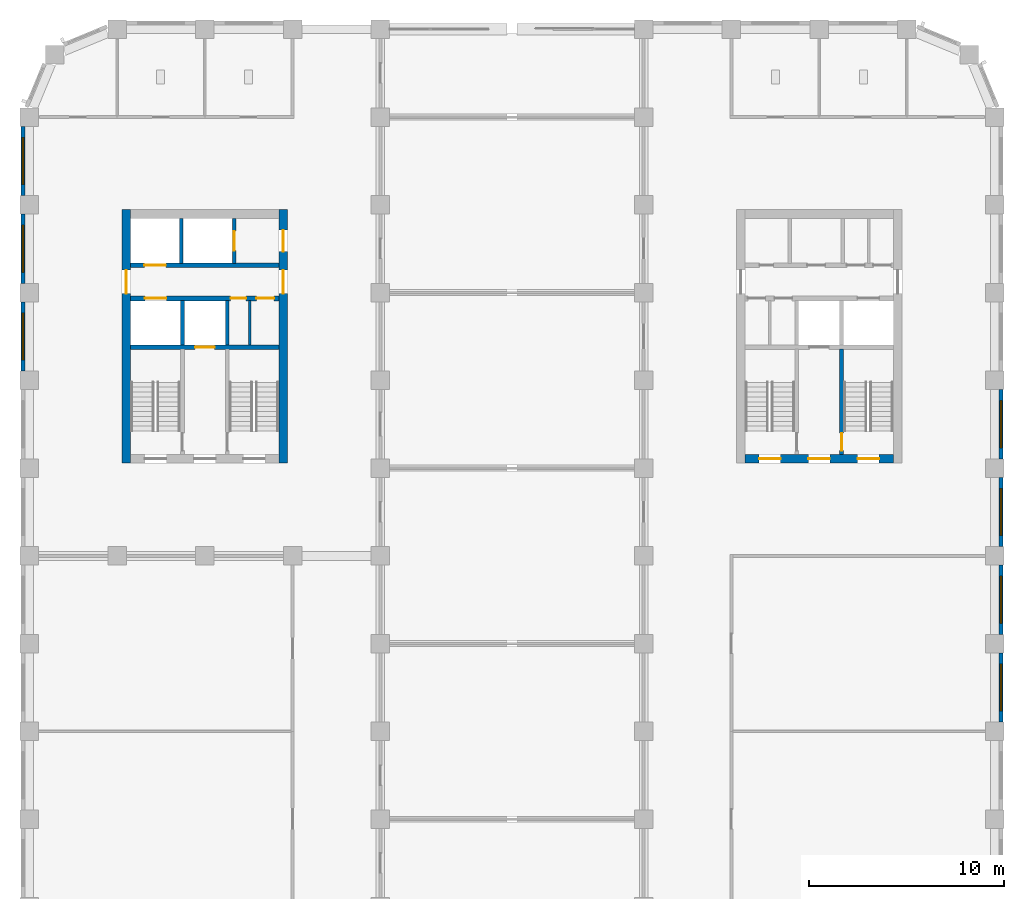
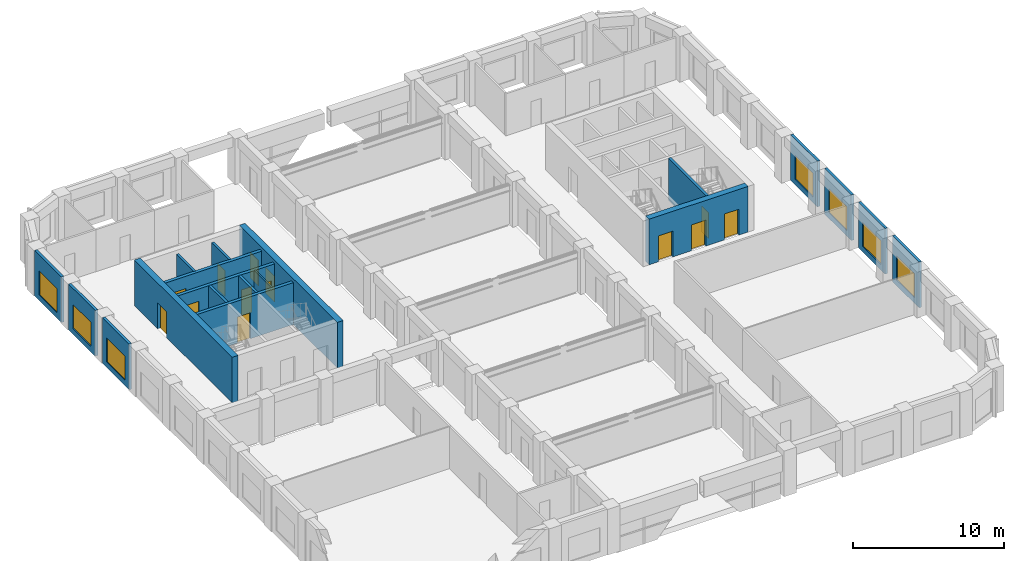
# One storey, part 8 of 14: 19 walls, 13 doors, 7 windows, 20 openings.
"""IFC4 building model written with IfcOpenShell, lengths in metres."""

from ifc_helpers import new_model, si_unit, direction, frame, frame_2d, origin, place, context, subcontext, project, spatial, rectangle, extrude, material, layer, layer_set, type_object, element, fill, save


model = new_model("IFC4")

# Units and contexts
model_context = context("Model", 3, precision=1e-05, world=origin(), true_north=direction((0.0, 1.0)))
body_context = subcontext(model_context, "Body", "Model", "MODEL_VIEW")
ifc_project = project(units=[si_unit("LENGTHUNIT", "METRE"), si_unit("AREAUNIT", "SQUARE_METRE"), si_unit("VOLUMEUNIT", "CUBIC_METRE"), si_unit("PLANEANGLEUNIT", "RADIAN"), si_unit("MASSUNIT", "GRAM", prefix="KILO")], contexts=[model_context])

# Site, building, storey
site_placement = place(None, origin())
site = spatial("IfcSite", under=ifc_project, at=site_placement, CompositionType="ELEMENT")
building_placement = place(site_placement, origin())
building = spatial("IfcBuilding", under=site, at=building_placement, Name="Girih Gate Residences", CompositionType="ELEMENT")
storey_placement = place(building_placement, frame((0.0, 0.0, 172.60009765625)))
storey = spatial("IfcBuildingStorey", under=building, at=storey_placement, Name="L47", CompositionType="ELEMENT", Elevation=172.60009765625)

# Wall, opening, door
ifc_material_1 = material(Name="Concrete C60/75", Category="concrete")
ifc_layer_1 = layer(ifc_material_1, 0.449951171875)
ifc_layer_set_1 = layer_set([ifc_layer_1], Name="Core wall RC 450 Concrete C60/75")
wall_type_1 = type_object("IfcWallType", Name="Core wall RC 450 Concrete C60/75", PredefinedType="SOLIDWALL", material=ifc_layer_set_1)
wall_1_placement = place(storey_placement, frame((4.97509765625, 27.25, 0.0), z_axis=(0.0, 0.0, 1.0), x_axis=(0.0, 1.0, 0.0)))
wall_1 = element("IfcWall", 1, at=wall_1_placement, inside=storey, type_object=wall_type_1, Name="Core wall W-W L47", PredefinedType="SOLIDWALL", context=body_context, shape_type="SweptSolid", body=[
    extrude(rectangle(XDim=13.0, YDim=0.449951171875, at=frame_2d((6.5, 0.0))), origin(), (0.0, 0.0, 1.0), 3.699951171875),
])
opening_1_placement = place(wall_1_placement, frame((8.699951171875, 0.0, 0.0)))
opening_1 = element("IfcOpeningElement", 2, at=opening_1_placement, cuts=wall_1, Name="Opening D-L47-W-013", PredefinedType="OPENING", context=body_context, shape_type="SweptSolid", body=[
    extrude(rectangle(XDim=1.199951171875, YDim=2.10009765625, at=frame_2d((0.60009765625, 1.050048828125))), frame((0.0, 0.23486328125, 0.0), z_axis=(0.0, -1.0, 0.0), x_axis=(1.0, 0.0, 0.0)), (0.0, 0.0, 1.0), 0.469970703125),
])
ifc_material_2 = material(Name="Painted steel, fire-resisting", Category="steel")
door_type_1 = type_object("IfcDoorType", Name="Fire door 1200x2100", OperationType="SINGLE_SWING_LEFT", PredefinedType="DOOR", material=ifc_material_2)
door_1_placement = place(opening_1_placement, origin())
door_1 = element("IfcDoor", 3, at=door_1_placement, inside=storey, type_object=door_type_1, Name="L47 W core door ll-w", OperationType="SINGLE_SWING_LEFT", OverallHeight=2.10009765625, OverallWidth=1.199951171875, PredefinedType="DOOR", context=body_context, shape_type="SweptSolid", body=[
    extrude(rectangle(XDim=1.199951171875, YDim=2.10009765625, at=frame_2d((0.60009765625, 1.050048828125))), frame((0.0, 0.02490234375, 0.0), z_axis=(0.0, -1.0, 0.0), x_axis=(1.0, 0.0, 0.0)), (0.0, 0.0, 1.0), 0.050048828125),
])
fill(opening_1, door_1)

# Wall, openings, doors
wall_2_placement = place(storey_placement, frame((13.02490234375, 27.25, 0.0), z_axis=(0.0, 0.0, 1.0), x_axis=(0.0, 1.0, 0.0)))
wall_2 = element("IfcWall", 4, at=wall_2_placement, inside=storey, type_object=wall_type_1, Name="Core wall W-E L47", PredefinedType="SOLIDWALL", context=body_context, shape_type="SweptSolid", body=[
    extrude(rectangle(XDim=13.0, YDim=0.449951171875, at=frame_2d((6.5, 0.0))), origin(), (0.0, 0.0, 1.0), 3.699951171875),
])
opening_2_placement = place(wall_2_placement, frame((10.85009765625, 0.0, 0.0)))
opening_2 = element("IfcOpeningElement", 5, at=opening_2_placement, cuts=wall_2, Name="Opening D-L47-W-012", PredefinedType="OPENING", context=body_context, shape_type="SweptSolid", body=[
    extrude(rectangle(XDim=1.10009765625, YDim=2.10009765625, at=frame_2d((0.550048828125, 1.050048828125))), frame((0.0, 0.23486328125, 0.0), z_axis=(0.0, -1.0, 0.0), x_axis=(1.0, 0.0, 0.0)), (0.0, 0.0, 1.0), 0.469970703125),
])
opening_3_placement = place(wall_2_placement, frame((8.699951171875, 0.0, 0.0)))
opening_3 = element("IfcOpeningElement", 6, at=opening_3_placement, cuts=wall_2, Name="Opening D-L47-W-014", PredefinedType="OPENING", context=body_context, shape_type="SweptSolid", body=[
    extrude(rectangle(XDim=1.199951171875, YDim=2.10009765625, at=frame_2d((0.60009765625, 1.050048828125))), frame((0.0, 0.23486328125, 0.0), z_axis=(0.0, -1.0, 0.0), x_axis=(1.0, 0.0, 0.0)), (0.0, 0.0, 1.0), 0.469970703125),
])
door_type_2 = type_object("IfcDoorType", Name="Fire door 1100x2100", OperationType="SINGLE_SWING_LEFT", PredefinedType="DOOR", material=ifc_material_2)
door_2_placement = place(opening_2_placement, origin())
door_2 = element("IfcDoor", 7, at=door_2_placement, inside=storey, type_object=door_type_2, Name="L47 W core door ffl2-e", OperationType="SINGLE_SWING_LEFT", OverallHeight=2.10009765625, OverallWidth=1.10009765625, PredefinedType="DOOR", context=body_context, shape_type="SweptSolid", body=[
    extrude(rectangle(XDim=1.10009765625, YDim=2.10009765625, at=frame_2d((0.550048828125, 1.050048828125))), frame((0.0, 0.02490234375, 0.0), z_axis=(0.0, -1.0, 0.0), x_axis=(1.0, 0.0, 0.0)), (0.0, 0.0, 1.0), 0.050048828125),
])
fill(opening_2, door_2)
door_3_placement = place(opening_3_placement, origin())
door_3 = element("IfcDoor", 8, at=door_3_placement, inside=storey, type_object=door_type_1, Name="L47 W core door ll-e", OperationType="SINGLE_SWING_LEFT", OverallHeight=2.10009765625, OverallWidth=1.199951171875, PredefinedType="DOOR", context=body_context, shape_type="SweptSolid", body=[
    extrude(rectangle(XDim=1.199951171875, YDim=2.10009765625, at=frame_2d((0.60009765625, 1.050048828125))), frame((0.0, 0.02490234375, 0.0), z_axis=(0.0, -1.0, 0.0), x_axis=(1.0, 0.0, 0.0)), (0.0, 0.0, 1.0), 0.050048828125),
])
fill(opening_3, door_3)

wall_3_placement = place(storey_placement, frame((36.699951171875, 27.47509765625, 0.0), z_axis=(0.0, 0.0, 1.0), x_axis=(1.0, 0.0, 0.0)))
wall_3 = element("IfcWall", 9, at=wall_3_placement, inside=storey, type_object=wall_type_1, Name="Core wall E-S L47", PredefinedType="SOLIDWALL", context=body_context, shape_type="SweptSolid", body=[
    extrude(rectangle(XDim=7.60009765625, YDim=0.449951171875, at=frame_2d((3.800048828125, 0.0))), origin(), (0.0, 0.0, 1.0), 3.699951171875),
])
opening_4_placement = place(wall_3_placement, frame((5.77490234375, 0.0, 0.0)))
opening_4 = element("IfcOpeningElement", 10, at=opening_4_placement, cuts=wall_3, Name="Opening D-L47-E-011", PredefinedType="OPENING", context=body_context, shape_type="SweptSolid", body=[
    extrude(rectangle(XDim=1.10009765625, YDim=2.10009765625, at=frame_2d((0.550048828125, 1.050048828125))), frame((0.0, 0.23486328125, 0.0), z_axis=(0.0, -1.0, 0.0), x_axis=(1.0, 0.0, 0.0)), (0.0, 0.0, 1.0), 0.469970703125),
])
opening_5_placement = place(wall_3_placement, frame((3.25, 0.0, 0.0)))
opening_5 = element("IfcOpeningElement", 11, at=opening_5_placement, cuts=wall_3, Name="Opening D-L47-E-012", PredefinedType="OPENING", context=body_context, shape_type="SweptSolid", body=[
    extrude(rectangle(XDim=1.10009765625, YDim=2.10009765625, at=frame_2d((0.550048828125, 1.050048828125))), frame((0.0, 0.23486328125, 0.0), z_axis=(0.0, -1.0, 0.0), x_axis=(1.0, 0.0, 0.0)), (0.0, 0.0, 1.0), 0.469970703125),
])
opening_6_placement = place(wall_3_placement, frame((0.72509765625, 0.0, 0.0)))
opening_6 = element("IfcOpeningElement", 12, at=opening_6_placement, cuts=wall_3, Name="Opening D-L47-E-013", PredefinedType="OPENING", context=body_context, shape_type="SweptSolid", body=[
    extrude(rectangle(XDim=1.10009765625, YDim=2.10009765625, at=frame_2d((0.550048828125, 1.050048828125))), frame((0.0, 0.23486328125, 0.0), z_axis=(0.0, -1.0, 0.0), x_axis=(1.0, 0.0, 0.0)), (0.0, 0.0, 1.0), 0.469970703125),
])
door_4_placement = place(opening_4_placement, origin())
door_4 = element("IfcDoor", 13, at=door_4_placement, inside=storey, type_object=door_type_2, Name="L47 E core door sta-out", OperationType="SINGLE_SWING_LEFT", OverallHeight=2.10009765625, OverallWidth=1.10009765625, PredefinedType="DOOR", context=body_context, shape_type="SweptSolid", body=[
    extrude(rectangle(XDim=1.10009765625, YDim=2.10009765625, at=frame_2d((0.550048828125, 1.050048828125))), frame((0.0, 0.02490234375, 0.0), z_axis=(0.0, -1.0, 0.0), x_axis=(1.0, 0.0, 0.0)), (0.0, 0.0, 1.0), 0.050048828125),
])
fill(opening_4, door_4)
door_5_placement = place(opening_5_placement, origin())
door_5 = element("IfcDoor", 14, at=door_5_placement, inside=storey, type_object=door_type_2, Name="L47 E core door ffl-out", OperationType="SINGLE_SWING_LEFT", OverallHeight=2.10009765625, OverallWidth=1.10009765625, PredefinedType="DOOR", context=body_context, shape_type="SweptSolid", body=[
    extrude(rectangle(XDim=1.10009765625, YDim=2.10009765625, at=frame_2d((0.550048828125, 1.050048828125))), frame((0.0, 0.02490234375, 0.0), z_axis=(0.0, -1.0, 0.0), x_axis=(1.0, 0.0, 0.0)), (0.0, 0.0, 1.0), 0.050048828125),
])
fill(opening_5, door_5)
door_6_placement = place(opening_6_placement, origin())
door_6 = element("IfcDoor", 15, at=door_6_placement, inside=storey, type_object=door_type_2, Name="L47 E core door stb-out", OperationType="SINGLE_SWING_LEFT", OverallHeight=2.10009765625, OverallWidth=1.10009765625, PredefinedType="DOOR", context=body_context, shape_type="SweptSolid", body=[
    extrude(rectangle(XDim=1.10009765625, YDim=2.10009765625, at=frame_2d((0.550048828125, 1.050048828125))), frame((0.0, 0.02490234375, 0.0), z_axis=(0.0, -1.0, 0.0), x_axis=(1.0, 0.0, 0.0)), (0.0, 0.0, 1.0), 0.050048828125),
])
fill(opening_6, door_6)

# Wall, opening, door
ifc_material_3 = material(Name="Concrete C40/50", Category="concrete")
ifc_layer_2 = layer(ifc_material_3, 0.25)
ifc_layer_set_2 = layer_set([ifc_layer_2], Name="Lift shaft wall 250")
wall_type_2 = type_object("IfcWallType", Name="Lift shaft wall 250", PredefinedType="SOLIDWALL", material=ifc_layer_set_2)
wall_4_placement = place(storey_placement, frame((5.199951171875, 33.199951171875, 0.0), z_axis=(0.0, 0.0, 1.0), x_axis=(1.0, 0.0, 0.0)))
wall_4 = element("IfcWall", 16, at=wall_4_placement, inside=storey, type_object=wall_type_2, Name="L47 W core wall H1", PredefinedType="SOLIDWALL", context=body_context, shape_type="SweptSolid", body=[
    extrude(rectangle(XDim=7.60009765625, YDim=0.25, at=frame_2d((3.800048828125, 0.0))), origin(), (0.0, 0.0, 1.0), 3.39990234375),
])
opening_7_placement = place(wall_4_placement, frame((3.300048828125, 0.0, 0.0)))
opening_7 = element("IfcOpeningElement", 17, at=opening_7_placement, cuts=wall_4, Name="Opening D-L47-W-006", PredefinedType="OPENING", context=body_context, shape_type="SweptSolid", body=[
    extrude(rectangle(XDim=1.0, YDim=2.10009765625, at=frame_2d((0.5, 1.050048828125))), frame((0.0, 0.135009765625, 0.0), z_axis=(0.0, -1.0, 0.0), x_axis=(1.0, 0.0, 0.0)), (0.0, 0.0, 1.0), 0.27001953125),
])
ifc_material_4 = material(Name="Stainless steel, fire-resisting", Category="steel")
door_type_3 = type_object("IfcDoorType", Name="Firefighting lift landing door 1000x2100", OperationType="SLIDING_TO_LEFT", PredefinedType="DOOR", material=ifc_material_4)
door_7_placement = place(opening_7_placement, origin())
door_7 = element("IfcDoor", 18, at=door_7_placement, inside=storey, type_object=door_type_3, Name="L47 lift FF-W landing door", OperationType="SLIDING_TO_LEFT", OverallHeight=2.10009765625, OverallWidth=1.0, PredefinedType="DOOR", context=body_context, shape_type="SweptSolid", body=[
    extrude(rectangle(XDim=1.0, YDim=2.10009765625, at=frame_2d((0.5, 1.050048828125))), frame((0.0, 0.02490234375, 0.0), z_axis=(0.0, -1.0, 0.0), x_axis=(1.0, 0.0, 0.0)), (0.0, 0.0, 1.0), 0.050048828125),
])
fill(opening_7, door_7)

# Wall, openings, doors
wall_5_placement = place(storey_placement, frame((5.199951171875, 35.699951171875, 0.0), z_axis=(0.0, 0.0, 1.0), x_axis=(1.0, 0.0, 0.0)))
wall_5 = element("IfcWall", 19, at=wall_5_placement, inside=storey, type_object=wall_type_2, Name="L47 W core wall H2", PredefinedType="SOLIDWALL", context=body_context, shape_type="SweptSolid", body=[
    extrude(rectangle(XDim=7.60009765625, YDim=0.25, at=frame_2d((3.800048828125, 0.0))), origin(), (0.0, 0.0, 1.0), 3.39990234375),
])
opening_8_placement = place(wall_5_placement, frame((0.72509765625, 0.0, 0.0)))
opening_8 = element("IfcOpeningElement", 20, at=opening_8_placement, cuts=wall_5, Name="Opening D-L47-W-005", PredefinedType="OPENING", context=body_context, shape_type="SweptSolid", body=[
    extrude(rectangle(XDim=1.10009765625, YDim=2.39990234375, at=frame_2d((0.550048828125, 1.199951171875))), frame((0.0, 0.135009765625, 0.0), z_axis=(0.0, -1.0, 0.0), x_axis=(1.0, 0.0, 0.0)), (0.0, 0.0, 1.0), 0.27001953125),
])
opening_9_placement = place(wall_5_placement, frame((5.125, 0.0, 0.0)))
opening_9 = element("IfcOpeningElement", 21, at=opening_9_placement, cuts=wall_5, Name="Opening D-L47-W-007", PredefinedType="OPENING", context=body_context, shape_type="SweptSolid", body=[
    extrude(rectangle(XDim=0.800048828125, YDim=2.10009765625, at=frame_2d((0.39990234375, 1.050048828125))), frame((0.0, 0.135009765625, 0.0), z_axis=(0.0, -1.0, 0.0), x_axis=(1.0, 0.0, 0.0)), (0.0, 0.0, 1.0), 0.27001953125),
])
opening_10_placement = place(wall_5_placement, frame((6.449951171875, 0.0, 0.0)))
opening_10 = element("IfcOpeningElement", 22, at=opening_10_placement, cuts=wall_5, Name="Opening D-L47-W-008", PredefinedType="OPENING", context=body_context, shape_type="SweptSolid", body=[
    extrude(rectangle(XDim=0.89990234375, YDim=2.10009765625, at=frame_2d((0.449951171875, 1.050048828125))), frame((0.0, 0.135009765625, 0.0), z_axis=(0.0, -1.0, 0.0), x_axis=(1.0, 0.0, 0.0)), (0.0, 0.0, 1.0), 0.27001953125),
])
door_type_4 = type_object("IfcDoorType", Name="Fire door 800x2100", OperationType="SINGLE_SWING_LEFT", PredefinedType="DOOR", material=ifc_material_2)
door_8_placement = place(opening_9_placement, origin())
door_8 = element("IfcDoor", 23, at=door_8_placement, inside=storey, type_object=door_type_4, Name="L47 W housekeeping store door", OperationType="SINGLE_SWING_LEFT", OverallHeight=2.10009765625, OverallWidth=0.800048828125, PredefinedType="DOOR", context=body_context, shape_type="SweptSolid", body=[
    extrude(rectangle(XDim=0.800048828125, YDim=2.10009765625, at=frame_2d((0.39990234375, 1.050048828125))), frame((0.0, 0.02490234375, 0.0), z_axis=(0.0, -1.0, 0.0), x_axis=(1.0, 0.0, 0.0)), (0.0, 0.0, 1.0), 0.050048828125),
])
fill(opening_9, door_8)
door_type_5 = type_object("IfcDoorType", Name="Fire door 900x2100", OperationType="SINGLE_SWING_LEFT", PredefinedType="DOOR", material=ifc_material_2)
door_9_placement = place(opening_10_placement, origin())
door_9 = element("IfcDoor", 24, at=door_9_placement, inside=storey, type_object=door_type_5, Name="L47 W refuse store door", OperationType="SINGLE_SWING_LEFT", OverallHeight=2.10009765625, OverallWidth=0.89990234375, PredefinedType="DOOR", context=body_context, shape_type="SweptSolid", body=[
    extrude(rectangle(XDim=0.89990234375, YDim=2.10009765625, at=frame_2d((0.449951171875, 1.050048828125))), frame((0.0, 0.02490234375, 0.0), z_axis=(0.0, -1.0, 0.0), x_axis=(1.0, 0.0, 0.0)), (0.0, 0.0, 1.0), 0.050048828125),
])
fill(opening_10, door_9)
ifc_material_5 = material(Name="Stainless steel", Category="steel")
door_type_6 = type_object("IfcDoorType", Name="Lift landing door 1100x2400", OperationType="SLIDING_TO_LEFT", PredefinedType="DOOR", material=ifc_material_5)
door_10_placement = place(opening_8_placement, origin())
door_10 = element("IfcDoor", 25, at=door_10_placement, inside=storey, type_object=door_type_6, Name="L47 lift HR-W1 landing door", OperationType="SLIDING_TO_LEFT", OverallHeight=2.39990234375, OverallWidth=1.10009765625, PredefinedType="DOOR", context=body_context, shape_type="SweptSolid", body=[
    extrude(rectangle(XDim=1.10009765625, YDim=2.39990234375, at=frame_2d((0.550048828125, 1.199951171875))), frame((0.0, 0.02490234375, 0.0), z_axis=(0.0, -1.0, 0.0), x_axis=(1.0, 0.0, 0.0)), (0.0, 0.0, 1.0), 0.050048828125),
])
fill(opening_8, door_10)

# Wall, opening, door
wall_6_placement = place(storey_placement, frame((5.199951171875, 37.39990234375, 0.0), z_axis=(0.0, 0.0, 1.0), x_axis=(1.0, 0.0, 0.0)))
wall_6 = element("IfcWall", 26, at=wall_6_placement, inside=storey, type_object=wall_type_2, Name="L47 W core wall H3", PredefinedType="SOLIDWALL", context=body_context, shape_type="SweptSolid", body=[
    extrude(rectangle(XDim=7.60009765625, YDim=0.25, at=frame_2d((3.800048828125, 0.0))), origin(), (0.0, 0.0, 1.0), 3.39990234375),
])
opening_11_placement = place(wall_6_placement, frame((0.699951171875, 0.0, 0.0)))
opening_11 = element("IfcOpeningElement", 27, at=opening_11_placement, cuts=wall_6, Name="Opening D-L47-W-003", PredefinedType="OPENING", context=body_context, shape_type="SweptSolid", body=[
    extrude(rectangle(XDim=1.10009765625, YDim=2.39990234375, at=frame_2d((0.550048828125, 1.199951171875))), frame((0.0, 0.135009765625, 0.0), z_axis=(0.0, -1.0, 0.0), x_axis=(1.0, 0.0, 0.0)), (0.0, 0.0, 1.0), 0.27001953125),
])
door_11_placement = place(opening_11_placement, origin())
door_11 = element("IfcDoor", 28, at=door_11_placement, inside=storey, type_object=door_type_6, Name="L47 lift LR-W1 landing door", OperationType="SLIDING_TO_LEFT", OverallHeight=2.39990234375, OverallWidth=1.10009765625, PredefinedType="DOOR", context=body_context, shape_type="SweptSolid", body=[
    extrude(rectangle(XDim=1.10009765625, YDim=2.39990234375, at=frame_2d((0.550048828125, 1.199951171875))), frame((0.0, 0.02490234375, 0.0), z_axis=(0.0, -1.0, 0.0), x_axis=(1.0, 0.0, 0.0)), (0.0, 0.0, 1.0), 0.050048828125),
])
fill(opening_11, door_11)

# Wall, opening, window
ifc_material_6 = material(Name="Precast concrete C50/60", Category="concrete")
ifc_layer_3 = layer(ifc_material_6, 0.06005859375, Name="Outer leaf")
ifc_material_7 = material(Name="Rigid PIR insulation")
ifc_layer_4 = layer(ifc_material_7, 0.090087890625, Name="Insulation")
ifc_material_8 = material(Name="Precast concrete C40/50", Category="concrete")
ifc_layer_5 = layer(ifc_material_8, 0.050048828125, Name="Inner leaf")
ifc_layer_set_3 = layer_set([ifc_layer_3, ifc_layer_4, ifc_layer_5], Name="Precast concrete C50/60 external wall 200")
wall_type_3 = type_object("IfcWallType", Name="Precast concrete C50/60 external wall 200", PredefinedType="SOLIDWALL", material=ifc_layer_set_3)
wall_7_placement = place(storey_placement, frame((49.824951171875, 17.52490234375, 0.0), z_axis=(0.0, 0.0, 1.0), x_axis=(0.0, -1.0, 0.0)))
wall_7 = element("IfcWall", 29, at=wall_7_placement, inside=storey, type_object=wall_type_3, Name="External wall E0495_0045.2", PredefinedType="SOLIDWALL", context=body_context, shape_type="SweptSolid", body=[
    extrude(rectangle(XDim=3.5498046875, YDim=0.199951171875, at=frame_2d((1.77490234375, 0.0))), origin(), (0.0, 0.0, 1.0), 3.699951171875),
])
opening_12_placement = place(wall_7_placement, frame((0.574951171875, 0.0, 0.449951171875)))
opening_12 = element("IfcOpeningElement", 30, at=opening_12_placement, cuts=wall_7, Name="Opening W-1C", PredefinedType="OPENING", context=body_context, shape_type="SweptSolid", body=[
    extrude(rectangle(XDim=2.39990234375, YDim=1.949951171875, at=frame_2d((1.199951171875, 0.97509765625))), frame((0.0, 0.10986328125, 0.0), z_axis=(0.0, -1.0, 0.0), x_axis=(1.0, 0.0, 0.0)), (0.0, 0.0, 1.0), 0.219970703125),
])
ifc_material_9 = material(Name="Double glazing in aluminium frame", Category="aluminium")
window_type = type_object("IfcWindowType", Name="Window W-1C 2400x1950", PartitioningType="SINGLE_PANEL", PredefinedType="WINDOW", material=ifc_material_9)
window_1_placement = place(opening_12_placement, origin())
window_1 = element("IfcWindow", 31, at=window_1_placement, inside=storey, type_object=window_type, Name="Window W-1C E0495_0045.2", OverallHeight=1.949951171875, OverallWidth=2.39990234375, PartitioningType="SINGLE_PANEL", PredefinedType="WINDOW", context=body_context, shape_type="SweptSolid", body=[
    extrude(rectangle(XDim=2.39990234375, YDim=1.949951171875, at=frame_2d((1.199951171875, 0.97509765625))), frame((0.0, 0.030029296875, 0.0), z_axis=(0.0, -1.0, 0.0), x_axis=(1.0, 0.0, 0.0)), (0.0, 0.0, 1.0), 0.06005859375),
])
fill(opening_12, window_1)

wall_8_placement = place(storey_placement, frame((49.824951171875, 22.02490234375, 0.0), z_axis=(0.0, 0.0, 1.0), x_axis=(0.0, -1.0, 0.0)))
wall_8 = element("IfcWall", 32, at=wall_8_placement, inside=storey, type_object=wall_type_3, Name="External wall E0495_0045.3", PredefinedType="SOLIDWALL", context=body_context, shape_type="SweptSolid", body=[
    extrude(rectangle(XDim=3.5498046875, YDim=0.199951171875, at=frame_2d((1.77490234375, 0.0))), origin(), (0.0, 0.0, 1.0), 3.699951171875),
])
opening_13_placement = place(wall_8_placement, frame((0.574951171875, 0.0, 0.449951171875)))
opening_13 = element("IfcOpeningElement", 33, at=opening_13_placement, cuts=wall_8, Name="Opening W-1C", PredefinedType="OPENING", context=body_context, shape_type="SweptSolid", body=[
    extrude(rectangle(XDim=2.39990234375, YDim=1.949951171875, at=frame_2d((1.199951171875, 0.97509765625))), frame((0.0, 0.10986328125, 0.0), z_axis=(0.0, -1.0, 0.0), x_axis=(1.0, 0.0, 0.0)), (0.0, 0.0, 1.0), 0.219970703125),
])
window_2_placement = place(opening_13_placement, origin())
window_2 = element("IfcWindow", 34, at=window_2_placement, inside=storey, type_object=window_type, Name="Window W-1C E0495_0045.3", OverallHeight=1.949951171875, OverallWidth=2.39990234375, PartitioningType="SINGLE_PANEL", PredefinedType="WINDOW", context=body_context, shape_type="SweptSolid", body=[
    extrude(rectangle(XDim=2.39990234375, YDim=1.949951171875, at=frame_2d((1.199951171875, 0.97509765625))), frame((0.0, 0.030029296875, 0.0), z_axis=(0.0, -1.0, 0.0), x_axis=(1.0, 0.0, 0.0)), (0.0, 0.0, 1.0), 0.06005859375),
])
fill(opening_13, window_2)

wall_9_placement = place(storey_placement, frame((49.824951171875, 26.52490234375, 0.0), z_axis=(0.0, 0.0, 1.0), x_axis=(0.0, -1.0, 0.0)))
wall_9 = element("IfcWall", 35, at=wall_9_placement, inside=storey, type_object=wall_type_3, Name="External wall E0495_0045.4", PredefinedType="SOLIDWALL", context=body_context, shape_type="SweptSolid", body=[
    extrude(rectangle(XDim=3.5498046875, YDim=0.199951171875, at=frame_2d((1.77490234375, 0.0))), origin(), (0.0, 0.0, 1.0), 3.699951171875),
])
opening_14_placement = place(wall_9_placement, frame((0.574951171875, 0.0, 0.449951171875)))
opening_14 = element("IfcOpeningElement", 36, at=opening_14_placement, cuts=wall_9, Name="Opening W-1C", PredefinedType="OPENING", context=body_context, shape_type="SweptSolid", body=[
    extrude(rectangle(XDim=2.39990234375, YDim=1.949951171875, at=frame_2d((1.199951171875, 0.97509765625))), frame((0.0, 0.10986328125, 0.0), z_axis=(0.0, -1.0, 0.0), x_axis=(1.0, 0.0, 0.0)), (0.0, 0.0, 1.0), 0.219970703125),
])
window_3_placement = place(opening_14_placement, origin())
window_3 = element("IfcWindow", 37, at=window_3_placement, inside=storey, type_object=window_type, Name="Window W-1C E0495_0045.4", OverallHeight=1.949951171875, OverallWidth=2.39990234375, PartitioningType="SINGLE_PANEL", PredefinedType="WINDOW", context=body_context, shape_type="SweptSolid", body=[
    extrude(rectangle(XDim=2.39990234375, YDim=1.949951171875, at=frame_2d((1.199951171875, 0.97509765625))), frame((0.0, 0.030029296875, 0.0), z_axis=(0.0, -1.0, 0.0), x_axis=(1.0, 0.0, 0.0)), (0.0, 0.0, 1.0), 0.06005859375),
])
fill(opening_14, window_3)

wall_10_placement = place(storey_placement, frame((49.824951171875, 31.02490234375, 0.0), z_axis=(0.0, 0.0, 1.0), x_axis=(0.0, -1.0, 0.0)))
wall_10 = element("IfcWall", 38, at=wall_10_placement, inside=storey, type_object=wall_type_3, Name="External wall E0495_0045.5", PredefinedType="SOLIDWALL", context=body_context, shape_type="SweptSolid", body=[
    extrude(rectangle(XDim=3.5498046875, YDim=0.199951171875, at=frame_2d((1.77490234375, 0.0))), origin(), (0.0, 0.0, 1.0), 3.699951171875),
])
opening_15_placement = place(wall_10_placement, frame((0.574951171875, 0.0, 0.449951171875)))
opening_15 = element("IfcOpeningElement", 39, at=opening_15_placement, cuts=wall_10, Name="Opening W-1C", PredefinedType="OPENING", context=body_context, shape_type="SweptSolid", body=[
    extrude(rectangle(XDim=2.39990234375, YDim=1.949951171875, at=frame_2d((1.199951171875, 0.97509765625))), frame((0.0, 0.10986328125, 0.0), z_axis=(0.0, -1.0, 0.0), x_axis=(1.0, 0.0, 0.0)), (0.0, 0.0, 1.0), 0.219970703125),
])
window_4_placement = place(opening_15_placement, origin())
window_4 = element("IfcWindow", 40, at=window_4_placement, inside=storey, type_object=window_type, Name="Window W-1C E0495_0045.5", OverallHeight=1.949951171875, OverallWidth=2.39990234375, PartitioningType="SINGLE_PANEL", PredefinedType="WINDOW", context=body_context, shape_type="SweptSolid", body=[
    extrude(rectangle(XDim=2.39990234375, YDim=1.949951171875, at=frame_2d((1.199951171875, 0.97509765625))), frame((0.0, 0.030029296875, 0.0), z_axis=(0.0, -1.0, 0.0), x_axis=(1.0, 0.0, 0.0)), (0.0, 0.0, 1.0), 0.06005859375),
])
fill(opening_15, window_4)

wall_11_placement = place(storey_placement, frame((-0.324951171875, 40.97509765625, 0.0), z_axis=(0.0, 0.0, 1.0), x_axis=(0.0, 1.0, 0.0)))
wall_11 = element("IfcWall", 41, at=wall_11_placement, inside=storey, type_object=wall_type_3, Name="External wall W0000_0450.0", PredefinedType="SOLIDWALL", context=body_context, shape_type="SweptSolid", body=[
    extrude(rectangle(XDim=3.5498046875, YDim=0.199951171875, at=frame_2d((1.77490234375, 0.0))), origin(), (0.0, 0.0, 1.0), 3.699951171875),
])
opening_16_placement = place(wall_11_placement, frame((0.574951171875, 0.0, 0.449951171875)))
opening_16 = element("IfcOpeningElement", 42, at=opening_16_placement, cuts=wall_11, Name="Opening W-1C", PredefinedType="OPENING", context=body_context, shape_type="SweptSolid", body=[
    extrude(rectangle(XDim=2.39990234375, YDim=1.949951171875, at=frame_2d((1.199951171875, 0.97509765625))), frame((0.0, 0.10986328125, 0.0), z_axis=(0.0, -1.0, 0.0), x_axis=(1.0, 0.0, 0.0)), (0.0, 0.0, 1.0), 0.219970703125),
])
window_5_placement = place(opening_16_placement, origin())
window_5 = element("IfcWindow", 43, at=window_5_placement, inside=storey, type_object=window_type, Name="Window W-1C W0000_0450.0", OverallHeight=1.949951171875, OverallWidth=2.39990234375, PartitioningType="SINGLE_PANEL", PredefinedType="WINDOW", context=body_context, shape_type="SweptSolid", body=[
    extrude(rectangle(XDim=2.39990234375, YDim=1.949951171875, at=frame_2d((1.199951171875, 0.97509765625))), frame((0.0, 0.030029296875, 0.0), z_axis=(0.0, -1.0, 0.0), x_axis=(1.0, 0.0, 0.0)), (0.0, 0.0, 1.0), 0.06005859375),
])
fill(opening_16, window_5)

wall_12_placement = place(storey_placement, frame((-0.324951171875, 36.47509765625, 0.0), z_axis=(0.0, 0.0, 1.0), x_axis=(0.0, 1.0, 0.0)))
wall_12 = element("IfcWall", 44, at=wall_12_placement, inside=storey, type_object=wall_type_3, Name="External wall W0000_0450.1", PredefinedType="SOLIDWALL", context=body_context, shape_type="SweptSolid", body=[
    extrude(rectangle(XDim=3.5498046875, YDim=0.199951171875, at=frame_2d((1.77490234375, 0.0))), origin(), (0.0, 0.0, 1.0), 3.699951171875),
])
opening_17_placement = place(wall_12_placement, frame((0.574951171875, 0.0, 0.449951171875)))
opening_17 = element("IfcOpeningElement", 45, at=opening_17_placement, cuts=wall_12, Name="Opening W-1C", PredefinedType="OPENING", context=body_context, shape_type="SweptSolid", body=[
    extrude(rectangle(XDim=2.39990234375, YDim=1.949951171875, at=frame_2d((1.199951171875, 0.97509765625))), frame((0.0, 0.10986328125, 0.0), z_axis=(0.0, -1.0, 0.0), x_axis=(1.0, 0.0, 0.0)), (0.0, 0.0, 1.0), 0.219970703125),
])
window_6_placement = place(opening_17_placement, origin())
window_6 = element("IfcWindow", 46, at=window_6_placement, inside=storey, type_object=window_type, Name="Window W-1C W0000_0450.1", OverallHeight=1.949951171875, OverallWidth=2.39990234375, PartitioningType="SINGLE_PANEL", PredefinedType="WINDOW", context=body_context, shape_type="SweptSolid", body=[
    extrude(rectangle(XDim=2.39990234375, YDim=1.949951171875, at=frame_2d((1.199951171875, 0.97509765625))), frame((0.0, 0.030029296875, 0.0), z_axis=(0.0, -1.0, 0.0), x_axis=(1.0, 0.0, 0.0)), (0.0, 0.0, 1.0), 0.06005859375),
])
fill(opening_17, window_6)

wall_13_placement = place(storey_placement, frame((-0.324951171875, 31.97509765625, 0.0), z_axis=(0.0, 0.0, 1.0), x_axis=(0.0, 1.0, 0.0)))
wall_13 = element("IfcWall", 47, at=wall_13_placement, inside=storey, type_object=wall_type_3, Name="External wall W0000_0450.2", PredefinedType="SOLIDWALL", context=body_context, shape_type="SweptSolid", body=[
    extrude(rectangle(XDim=3.5498046875, YDim=0.199951171875, at=frame_2d((1.77490234375, 0.0))), origin(), (0.0, 0.0, 1.0), 3.699951171875),
])
opening_18_placement = place(wall_13_placement, frame((0.574951171875, 0.0, 0.449951171875)))
opening_18 = element("IfcOpeningElement", 48, at=opening_18_placement, cuts=wall_13, Name="Opening W-1C", PredefinedType="OPENING", context=body_context, shape_type="SweptSolid", body=[
    extrude(rectangle(XDim=2.39990234375, YDim=1.949951171875, at=frame_2d((1.199951171875, 0.97509765625))), frame((0.0, 0.10986328125, 0.0), z_axis=(0.0, -1.0, 0.0), x_axis=(1.0, 0.0, 0.0)), (0.0, 0.0, 1.0), 0.219970703125),
])
window_7_placement = place(opening_18_placement, origin())
window_7 = element("IfcWindow", 49, at=window_7_placement, inside=storey, type_object=window_type, Name="Window W-1C W0000_0450.2", OverallHeight=1.949951171875, OverallWidth=2.39990234375, PartitioningType="SINGLE_PANEL", PredefinedType="WINDOW", context=body_context, shape_type="SweptSolid", body=[
    extrude(rectangle(XDim=2.39990234375, YDim=1.949951171875, at=frame_2d((1.199951171875, 0.97509765625))), frame((0.0, 0.030029296875, 0.0), z_axis=(0.0, -1.0, 0.0), x_axis=(1.0, 0.0, 0.0)), (0.0, 0.0, 1.0), 0.06005859375),
])
fill(opening_18, window_7)

# Wall
ifc_layer_6 = layer(ifc_material_3, 0.175048828125)
ifc_layer_set_4 = layer_set([ifc_layer_6], Name="Riser shaft wall 175")
wall_type_4 = type_object("IfcWallType", Name="Riser shaft wall 175", PredefinedType="SOLIDWALL", material=ifc_layer_set_4)
wall_14_placement = place(storey_placement, frame((7.800048828125, 37.5, 0.0), z_axis=(0.0, 0.0, 1.0), x_axis=(0.0, 1.0, 0.0)))
element("IfcWall", 50, at=wall_14_placement, inside=storey, type_object=wall_type_4, Name="L47 W core wall V1c", PredefinedType="SOLIDWALL", context=body_context, shape_type="SweptSolid", body=[
    extrude(rectangle(XDim=2.300048828125, YDim=0.175048828125, at=frame_2d((1.14990234375, 0.0))), origin(), (0.0, 0.0, 1.0), 3.39990234375),
])

# Wall, opening, door
wall_15_placement = place(storey_placement, frame((10.5, 37.5, 0.0), z_axis=(0.0, 0.0, 1.0), x_axis=(0.0, 1.0, 0.0)))
wall_15 = element("IfcWall", 51, at=wall_15_placement, inside=storey, type_object=wall_type_4, Name="L47 W core wall V2c", PredefinedType="SOLIDWALL", context=body_context, shape_type="SweptSolid", body=[
    extrude(rectangle(XDim=2.300048828125, YDim=0.175048828125, at=frame_2d((1.14990234375, 0.0))), origin(), (0.0, 0.0, 1.0), 3.39990234375),
])
opening_19_placement = place(wall_15_placement, frame((0.64990234375, 0.0, 0.0)))
opening_19 = element("IfcOpeningElement", 52, at=opening_19_placement, cuts=wall_15, Name="Opening D-L47-W-004", PredefinedType="OPENING", context=body_context, shape_type="SweptSolid", body=[
    extrude(rectangle(XDim=1.0, YDim=2.10009765625, at=frame_2d((0.5, 1.050048828125))), frame((0.0, 0.097412109375, 0.0), z_axis=(0.0, -1.0, 0.0), x_axis=(1.0, 0.0, 0.0)), (0.0, 0.0, 1.0), 0.195068359375),
])
door_12_placement = place(opening_19_placement, origin())
door_12 = element("IfcDoor", 53, at=door_12_placement, inside=storey, type_object=door_type_3, Name="L47 lift FF-W2 landing door", OperationType="SLIDING_TO_LEFT", OverallHeight=2.10009765625, OverallWidth=1.0, PredefinedType="DOOR", context=body_context, shape_type="SweptSolid", body=[
    extrude(rectangle(XDim=1.0, YDim=2.10009765625, at=frame_2d((0.5, 1.050048828125))), frame((0.0, 0.02490234375, 0.0), z_axis=(0.0, -1.0, 0.0), x_axis=(1.0, 0.0, 0.0)), (0.0, 0.0, 1.0), 0.050048828125),
])
fill(opening_19, door_12)

# Walls
ifc_layer_7 = layer(ifc_material_3, 0.199951171875)
ifc_layer_set_5 = layer_set([ifc_layer_7], Name="Shaft wall 200")
wall_type_5 = type_object("IfcWallType", Name="Shaft wall 200", PredefinedType="SOLIDWALL", material=ifc_layer_set_5)
for number, where, z_axis, x_axis, name in (
    (54, (7.85009765625, 33.300048828125, 0.0), (0.0, 0.0, 1.0), (0.0, 1.0, 0.0), "L47 W core wall V1b"),
    (55, (10.14990234375, 33.300048828125, 0.0), (0.0, 0.0, 1.0), (0.0, 1.0, 0.0), "L47 W core wall V2b"),
):
    element("IfcWall", number, at=place(storey_placement, frame(where, z_axis=z_axis, x_axis=x_axis)), inside=storey, type_object=wall_type_5, Name=name, PredefinedType="SOLIDWALL", context=body_context, shape_type="SweptSolid", body=[
        extrude(rectangle(XDim=2.300048828125, YDim=0.199951171875, at=frame_2d((1.14990234375, 0.0))), origin(), (0.0, 0.0, 1.0), 3.39990234375),
    ])

# Wall, opening, door
wall_16_placement = place(storey_placement, frame((41.64990234375, 27.699951171875, 0.0), z_axis=(0.0, 0.0, 1.0), x_axis=(0.0, 1.0, 0.0)))
wall_16 = element("IfcWall", 56, at=wall_16_placement, inside=storey, type_object=wall_type_5, Name="L47 E core wall V1a", PredefinedType="SOLIDWALL", context=body_context, shape_type="SweptSolid", body=[
    extrude(rectangle(XDim=5.400146484375, YDim=0.199951171875, at=frame_2d((2.7001953125, 0.0))), origin(), (0.0, 0.0, 1.0), 3.39990234375),
])
opening_20_placement = place(wall_16_placement, frame((0.199951171875, 0.0, 0.0)))
opening_20 = element("IfcOpeningElement", 57, at=opening_20_placement, cuts=wall_16, Name="Opening D-L47-E-001", PredefinedType="OPENING", context=body_context, shape_type="SweptSolid", body=[
    extrude(rectangle(XDim=0.89990234375, YDim=2.10009765625, at=frame_2d((0.449951171875, 1.050048828125))), frame((0.0, 0.10986328125, 0.0), z_axis=(0.0, -1.0, 0.0), x_axis=(1.0, 0.0, 0.0)), (0.0, 0.0, 1.0), 0.219970703125),
])
door_13_placement = place(opening_20_placement, origin())
door_13 = element("IfcDoor", 58, at=door_13_placement, inside=storey, type_object=door_type_5, Name="L47 E door stair 1 to firefighting lobby", OperationType="SINGLE_SWING_LEFT", OverallHeight=2.10009765625, OverallWidth=0.89990234375, PredefinedType="DOOR", context=body_context, shape_type="SweptSolid", body=[
    extrude(rectangle(XDim=0.89990234375, YDim=2.10009765625, at=frame_2d((0.449951171875, 1.050048828125))), frame((0.0, 0.02490234375, 0.0), z_axis=(0.0, -1.0, 0.0), x_axis=(1.0, 0.0, 0.0)), (0.0, 0.0, 1.0), 0.050048828125),
])
fill(opening_20, door_13)

# Wall
ifc_material_10 = material(Name="Calcium silicate blockwork", Category="masonry")
ifc_layer_8 = layer(ifc_material_10, 0.125)
ifc_layer_set_6 = layer_set([ifc_layer_8], Name="Store partition 125")
wall_type_6 = type_object("IfcWallType", Name="Store partition 125", PredefinedType="PARTITIONING", material=ifc_layer_set_6)
wall_17_placement = place(storey_placement, frame((11.300048828125, 33.300048828125, 0.0), z_axis=(0.0, 0.0, 1.0), x_axis=(0.0, 1.0, 0.0)))
element("IfcWall", 59, at=wall_17_placement, inside=storey, type_object=wall_type_6, Name="L47 W core wall SHR2", PredefinedType="PARTITIONING", context=body_context, shape_type="SweptSolid", body=[
    extrude(rectangle(XDim=2.300048828125, YDim=0.125, at=frame_2d((1.14990234375, 0.0))), origin(), (0.0, 0.0, 1.0), 3.39990234375),
])

save(model, "model.ifc")
